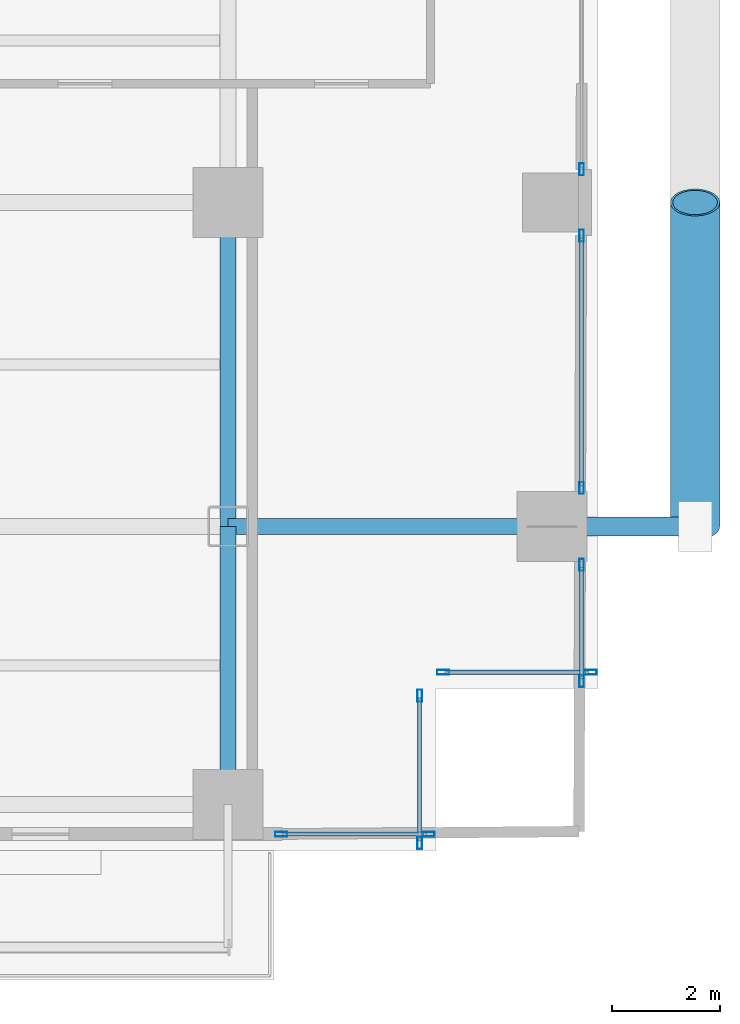
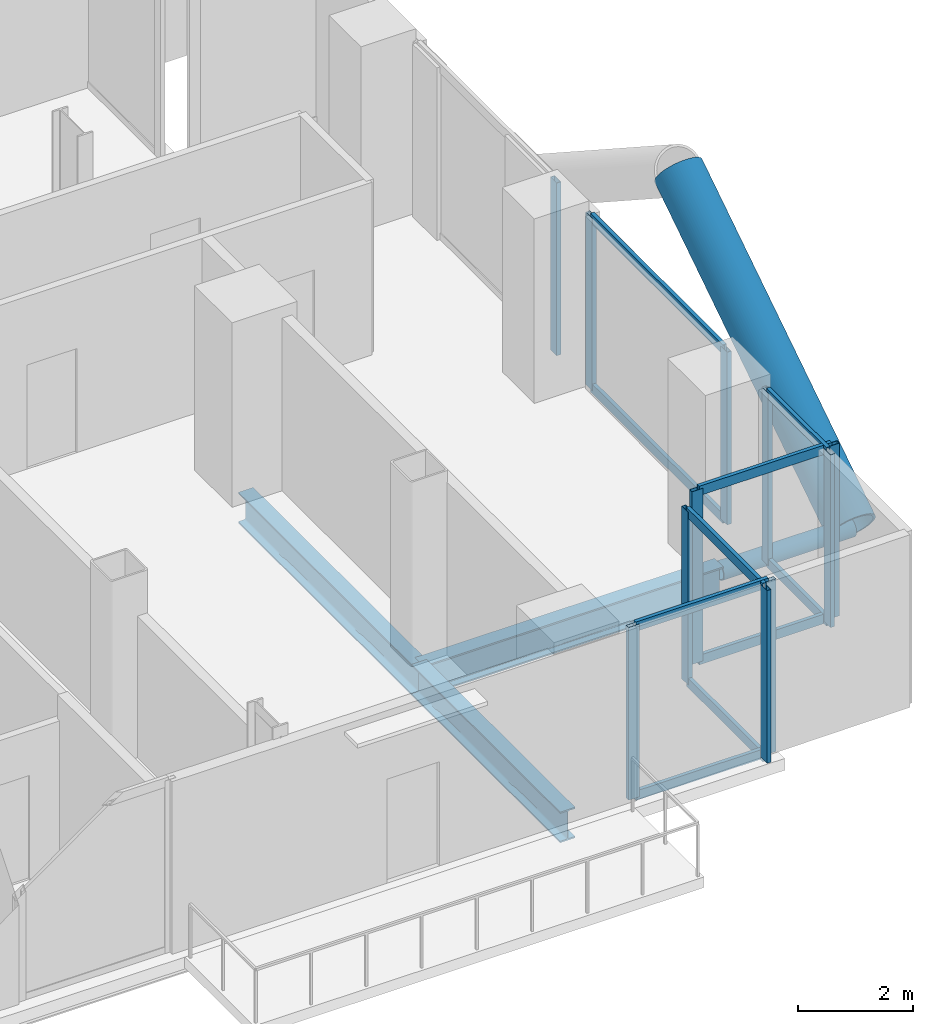
# One storey, part 10 of 27: 23 members, 3 beams, 6 elements without a shape of their own.
"""IFC4 building model written with IfcOpenShell, lengths in metres."""

from ifc_helpers import new_model, si_unit, direction, frame, origin, origin_2d, place, context, subcontext, project, spatial, hollow_rectangle, hollow_circle, i_section, extrude, material, layer, layer_set, material_profile, profile_set, type_object, element, aggregate, save


model = new_model("IFC4")

# Units and contexts
model_context = context("Model", 3, precision=1e-05, world=origin(), true_north=direction((0.0, 1.0)))
body_context = subcontext(model_context, "Body", "Model", "MODEL_VIEW")
ifc_project = project(units=[si_unit("LENGTHUNIT", "METRE"), si_unit("AREAUNIT", "SQUARE_METRE"), si_unit("VOLUMEUNIT", "CUBIC_METRE"), si_unit("PLANEANGLEUNIT", "RADIAN"), si_unit("MASSUNIT", "GRAM", prefix="KILO"), si_unit("THERMODYNAMICTEMPERATUREUNIT", "KELVIN"), si_unit("POWERUNIT", "WATT")], contexts=[model_context])

# Site, building, storey
site_placement = place(None, origin())
site = spatial("IfcSite", under=ifc_project, at=site_placement, CompositionType="ELEMENT")
building_placement = place(site_placement, origin())
building = spatial("IfcBuilding", under=site, at=building_placement, Name="Svarakhadi Broadcast Tower", CompositionType="ELEMENT")
storey_placement = place(building_placement, frame((0.0, 0.0, 71.39990234375)))
storey = spatial("IfcBuildingStorey", under=building, at=storey_placement, Name="L16", CompositionType="ELEMENT", Elevation=71.39990234375)

# Curtain wall, member
ifc_material_1 = material(Name="Anodised Bronze Aluminium AA 6063-T6", Category="aluminium")
ifc_layer = layer(ifc_material_1, 0.219970703125)
ifc_layer_set = layer_set([ifc_layer], Name="Anodised Bronze Aluminium AA 6063-T6")
curtain_wall_type = type_object("IfcCurtainWallType", Name="CW_Sys_02", PredefinedType="NOTDEFINED", material=ifc_layer_set)
curtain_wall_1_placement = place(storey_placement, origin())
curtain_wall_1 = element("IfcCurtainWall", 1, at=curtain_wall_1_placement, inside=storey, type_object=curtain_wall_type, Name="L16 Unitised Facade Curtain Wall 13 Bay 2", PredefinedType="NOTDEFINED")
ifc_material_profile_1 = material_profile(ifc_material_1, hollow_rectangle(XDim=0.0849609375, YDim=0.219970703125, WallThickness=0.006103515625, at=origin_2d()), Name="ALU MULLION 220x85x6")
ifc_profile_set_1 = profile_set([ifc_material_profile_1], Name="Anodised Bronze Aluminium AA 6063-T6")
member_type_1 = type_object("IfcMemberType", Name="CW_Sys_02_Mul", PredefinedType="MULLION", material=ifc_profile_set_1)
member_1_placement = place(storey_placement, frame((53.699951171875, 12.612548828125, 0.0), z_axis=(0.0, 0.0, 1.0), x_axis=(1.0, 0.0, 0.0)))
member_1 = element("IfcMember", 2, at=member_1_placement, type_object=member_type_1, Name="CW-02 mullion 2", PredefinedType="MULLION", context=body_context, shape_type="SweptSolid", body=[
    extrude(hollow_rectangle(XDim=0.0849609375, YDim=0.219970703125, WallThickness=0.006103515625, at=origin_2d()), origin(), (0.0, 0.0, 1.0), 3.650146484375),
])
aggregate(curtain_wall_1, [member_1])

# Curtain wall, members
curtain_wall_2_placement = place(storey_placement, origin())
curtain_wall_2 = element("IfcCurtainWall", 3, at=curtain_wall_2_placement, inside=storey, type_object=curtain_wall_type, Name="L16 Unitised Facade Curtain Wall 13 Bay 3", PredefinedType="NOTDEFINED")
member_2_placement = place(storey_placement, frame((53.699951171875, 11.387451171875, 0.0), z_axis=(0.0, 0.0, 1.0), x_axis=(1.0, 0.0, 0.0)))
member_2 = element("IfcMember", 4, at=member_2_placement, type_object=member_type_1, Name="CW-02 mullion 1", PredefinedType="MULLION", context=body_context, shape_type="SweptSolid", body=[
    extrude(hollow_rectangle(XDim=0.0849609375, YDim=0.219970703125, WallThickness=0.006103515625, at=origin_2d()), origin(), (0.0, 0.0, 1.0), 3.650146484375),
])
member_3_placement = place(storey_placement, frame((53.699951171875, 6.71240234375, 0.0), z_axis=(0.0, 0.0, 1.0), x_axis=(1.0, 0.0, 0.0)))
member_3 = element("IfcMember", 5, at=member_3_placement, type_object=member_type_1, Name="CW-02 mullion 2", PredefinedType="MULLION", context=body_context, shape_type="SweptSolid", body=[
    extrude(hollow_rectangle(XDim=0.0849609375, YDim=0.219970703125, WallThickness=0.006103515625, at=origin_2d()), origin(), (0.0, 0.0, 1.0), 3.650146484375),
])

curtain_wall_3_placement = place(storey_placement, origin())
curtain_wall_3 = element("IfcCurtainWall", 6, at=curtain_wall_3_placement, inside=storey, type_object=curtain_wall_type, Name="L16 Unitised Facade Curtain Wall 13 Bay 4", PredefinedType="NOTDEFINED")
member_4_placement = place(storey_placement, frame((53.699951171875, 5.28759765625, 0.0), z_axis=(0.0, 0.0, 1.0), x_axis=(1.0, 0.0, 0.0)))
member_4 = element("IfcMember", 7, at=member_4_placement, type_object=member_type_1, Name="CW-02 mullion 1", PredefinedType="MULLION", context=body_context, shape_type="SweptSolid", body=[
    extrude(hollow_rectangle(XDim=0.0849609375, YDim=0.219970703125, WallThickness=0.006103515625, at=origin_2d()), origin(), (0.0, 0.0, 1.0), 3.650146484375),
])
member_5_placement = place(storey_placement, frame((53.699951171875, 3.132568359375, 0.0), z_axis=(0.0, 0.0, 1.0), x_axis=(1.0, 0.0, 0.0)))
member_5 = element("IfcMember", 8, at=member_5_placement, type_object=member_type_1, Name="CW-02 mullion 2", PredefinedType="MULLION", context=body_context, shape_type="SweptSolid", body=[
    extrude(hollow_rectangle(XDim=0.0849609375, YDim=0.219970703125, WallThickness=0.006103515625, at=origin_2d()), origin(), (0.0, 0.0, 1.0), 3.650146484375),
])

curtain_wall_4_placement = place(storey_placement, origin())
curtain_wall_4 = element("IfcCurtainWall", 9, at=curtain_wall_4_placement, inside=storey, type_object=curtain_wall_type, Name="L16 Unitised Facade Curtain Wall 14", PredefinedType="NOTDEFINED")
member_6_placement = place(storey_placement, frame((53.867431640625, 3.300048828125, 0.0), z_axis=(0.0, 0.0, 1.0), x_axis=(0.0, -1.0, 0.0)))
member_6 = element("IfcMember", 10, at=member_6_placement, type_object=member_type_1, Name="CW-02 mullion 1", PredefinedType="MULLION", context=body_context, shape_type="SweptSolid", body=[
    extrude(hollow_rectangle(XDim=0.0849609375, YDim=0.219970703125, WallThickness=0.006103515625, at=origin_2d()), origin(), (0.0, 0.0, 1.0), 3.650146484375),
])
member_7_placement = place(storey_placement, frame((51.132568359375, 3.300048828125, 0.0), z_axis=(0.0, 0.0, 1.0), x_axis=(0.0, -1.0, 0.0)))
member_7 = element("IfcMember", 11, at=member_7_placement, type_object=member_type_1, Name="CW-02 mullion 2", PredefinedType="MULLION", context=body_context, shape_type="SweptSolid", body=[
    extrude(hollow_rectangle(XDim=0.0849609375, YDim=0.219970703125, WallThickness=0.006103515625, at=origin_2d()), origin(), (0.0, 0.0, 1.0), 3.650146484375),
])

curtain_wall_5_placement = place(storey_placement, origin())
curtain_wall_5 = element("IfcCurtainWall", 12, at=curtain_wall_5_placement, inside=storey, type_object=curtain_wall_type, Name="L16 Unitised Facade Curtain Wall 15", PredefinedType="NOTDEFINED")
member_8_placement = place(storey_placement, frame((50.699951171875, 2.867431640625, 0.0), z_axis=(0.0, 0.0, 1.0), x_axis=(1.0, 0.0, 0.0)))
member_8 = element("IfcMember", 13, at=member_8_placement, type_object=member_type_1, Name="CW-02 mullion 1", PredefinedType="MULLION", context=body_context, shape_type="SweptSolid", body=[
    extrude(hollow_rectangle(XDim=0.0849609375, YDim=0.219970703125, WallThickness=0.006103515625, at=origin_2d()), origin(), (0.0, 0.0, 1.0), 3.650146484375),
])
member_9_placement = place(storey_placement, frame((50.699951171875, 0.132568359375, 0.0), z_axis=(0.0, 0.0, 1.0), x_axis=(1.0, 0.0, 0.0)))
member_9 = element("IfcMember", 14, at=member_9_placement, type_object=member_type_1, Name="CW-02 mullion 2", PredefinedType="MULLION", context=body_context, shape_type="SweptSolid", body=[
    extrude(hollow_rectangle(XDim=0.0849609375, YDim=0.219970703125, WallThickness=0.006103515625, at=origin_2d()), origin(), (0.0, 0.0, 1.0), 3.650146484375),
])

curtain_wall_6_placement = place(storey_placement, origin())
curtain_wall_6 = element("IfcCurtainWall", 15, at=curtain_wall_6_placement, inside=storey, type_object=curtain_wall_type, Name="L16 South Curtain Wall 16", PredefinedType="NOTDEFINED")
member_10_placement = place(storey_placement, frame((50.867431640625, 0.300048828125, 0.0), z_axis=(0.0, 0.0, 1.0), x_axis=(0.0, -1.0, 0.0)))
member_10 = element("IfcMember", 16, at=member_10_placement, type_object=member_type_1, Name="CW-02 mullion 1", PredefinedType="MULLION", context=body_context, shape_type="SweptSolid", body=[
    extrude(hollow_rectangle(XDim=0.0849609375, YDim=0.219970703125, WallThickness=0.006103515625, at=origin_2d()), origin(), (0.0, 0.0, 1.0), 3.650146484375),
])
member_11_placement = place(storey_placement, frame((48.132568359375, 0.300048828125, 0.0), z_axis=(0.0, 0.0, 1.0), x_axis=(0.0, -1.0, 0.0)))
member_11 = element("IfcMember", 17, at=member_11_placement, type_object=member_type_1, Name="CW-02 mullion 2", PredefinedType="MULLION", context=body_context, shape_type="SweptSolid", body=[
    extrude(hollow_rectangle(XDim=0.0849609375, YDim=0.219970703125, WallThickness=0.006103515625, at=origin_2d()), origin(), (0.0, 0.0, 1.0), 3.650146484375),
])

# Member
ifc_material_profile_2 = material_profile(ifc_material_1, hollow_rectangle(XDim=0.074951171875, YDim=0.199951171875, WallThickness=0.0048828125, at=origin_2d()), Name="ALU TRANSOM 200x75x5")
ifc_profile_set_2 = profile_set([ifc_material_profile_2], Name="Anodised Bronze Aluminium AA 6063-T6")
member_type_2 = type_object("IfcMemberType", Name="CW_Sys_02_Trn", PredefinedType="USERDEFINED", material=ifc_profile_set_2)
member_12_placement = place(storey_placement, frame((53.699951171875, 11.344970703125, 0.03759765625), z_axis=(0.0, -1.0, 0.0), x_axis=(1.0, 0.0, 0.0)))
member_12 = element("IfcMember", 18, at=member_12_placement, type_object=member_type_2, Name="CW-02 transom 1.1", ObjectType="TRANSOM", PredefinedType="USERDEFINED", context=body_context, shape_type="SweptSolid", body=[
    extrude(hollow_rectangle(XDim=0.074951171875, YDim=0.199951171875, WallThickness=0.0048828125, at=origin_2d()), origin(), (0.0, 0.0, 1.0), 4.590087890625),
])

member_13_placement = place(storey_placement, frame((53.699951171875, 11.344970703125, 3.612548828125), z_axis=(0.0, -1.0, 0.0), x_axis=(1.0, 0.0, 0.0)))
member_13 = element("IfcMember", 19, at=member_13_placement, type_object=member_type_2, Name="CW-02 transom 1.2", ObjectType="TRANSOM", PredefinedType="USERDEFINED", context=body_context, shape_type="SweptSolid", body=[
    extrude(hollow_rectangle(XDim=0.074951171875, YDim=0.199951171875, WallThickness=0.0048828125, at=origin_2d()), origin(), (0.0, 0.0, 1.0), 4.590087890625),
])

aggregate(curtain_wall_2, [member_2, member_3, member_12, member_13])

member_14_placement = place(storey_placement, frame((53.699951171875, 5.2451171875, 0.03759765625), z_axis=(0.0, -1.0, 0.0), x_axis=(1.0, 0.0, 0.0)))
member_14 = element("IfcMember", 20, at=member_14_placement, type_object=member_type_2, Name="CW-02 transom 1.1", ObjectType="TRANSOM", PredefinedType="USERDEFINED", context=body_context, shape_type="SweptSolid", body=[
    extrude(hollow_rectangle(XDim=0.074951171875, YDim=0.199951171875, WallThickness=0.0048828125, at=origin_2d()), origin(), (0.0, 0.0, 1.0), 2.070068359375),
])

member_15_placement = place(storey_placement, frame((53.699951171875, 5.2451171875, 3.612548828125), z_axis=(0.0, -1.0, 0.0), x_axis=(1.0, 0.0, 0.0)))
member_15 = element("IfcMember", 21, at=member_15_placement, type_object=member_type_2, Name="CW-02 transom 1.2", ObjectType="TRANSOM", PredefinedType="USERDEFINED", context=body_context, shape_type="SweptSolid", body=[
    extrude(hollow_rectangle(XDim=0.074951171875, YDim=0.199951171875, WallThickness=0.0048828125, at=origin_2d()), origin(), (0.0, 0.0, 1.0), 2.070068359375),
])

aggregate(curtain_wall_3, [member_4, member_5, member_14, member_15])

member_16_placement = place(storey_placement, frame((53.824951171875, 3.300048828125, 0.03759765625), z_axis=(-1.0, 0.0, 0.0), x_axis=(0.0, -1.0, 0.0)))
member_16 = element("IfcMember", 22, at=member_16_placement, type_object=member_type_2, Name="CW-02 transom 1.1", ObjectType="TRANSOM", PredefinedType="USERDEFINED", context=body_context, shape_type="SweptSolid", body=[
    extrude(hollow_rectangle(XDim=0.074951171875, YDim=0.199951171875, WallThickness=0.0048828125, at=origin_2d()), origin(), (0.0, 0.0, 1.0), 2.64990234375),
])

member_17_placement = place(storey_placement, frame((53.824951171875, 3.300048828125, 3.612548828125), z_axis=(-1.0, 0.0, 0.0), x_axis=(0.0, -1.0, 0.0)))
member_17 = element("IfcMember", 23, at=member_17_placement, type_object=member_type_2, Name="CW-02 transom 1.2", ObjectType="TRANSOM", PredefinedType="USERDEFINED", context=body_context, shape_type="SweptSolid", body=[
    extrude(hollow_rectangle(XDim=0.074951171875, YDim=0.199951171875, WallThickness=0.0048828125, at=origin_2d()), origin(), (0.0, 0.0, 1.0), 2.64990234375),
])

aggregate(curtain_wall_4, [member_6, member_7, member_16, member_17])

member_18_placement = place(storey_placement, frame((50.699951171875, 2.824951171875, 0.03759765625), z_axis=(0.0, -1.0, 0.0), x_axis=(1.0, 0.0, 0.0)))
member_18 = element("IfcMember", 24, at=member_18_placement, type_object=member_type_2, Name="CW-02 transom 1.1", ObjectType="TRANSOM", PredefinedType="USERDEFINED", context=body_context, shape_type="SweptSolid", body=[
    extrude(hollow_rectangle(XDim=0.074951171875, YDim=0.199951171875, WallThickness=0.0048828125, at=origin_2d()), origin(), (0.0, 0.0, 1.0), 2.64990234375),
])

member_19_placement = place(storey_placement, frame((50.699951171875, 2.824951171875, 3.612548828125), z_axis=(0.0, -1.0, 0.0), x_axis=(1.0, 0.0, 0.0)))
member_19 = element("IfcMember", 25, at=member_19_placement, type_object=member_type_2, Name="CW-02 transom 1.2", ObjectType="TRANSOM", PredefinedType="USERDEFINED", context=body_context, shape_type="SweptSolid", body=[
    extrude(hollow_rectangle(XDim=0.074951171875, YDim=0.199951171875, WallThickness=0.0048828125, at=origin_2d()), origin(), (0.0, 0.0, 1.0), 2.64990234375),
])

aggregate(curtain_wall_5, [member_8, member_9, member_18, member_19])

member_20_placement = place(storey_placement, frame((50.824951171875, 0.300048828125, 0.03759765625), z_axis=(-1.0, 0.0, 0.0), x_axis=(0.0, -1.0, 0.0)))
member_20 = element("IfcMember", 26, at=member_20_placement, type_object=member_type_2, Name="CW-02 transom 1.1", ObjectType="TRANSOM", PredefinedType="USERDEFINED", context=body_context, shape_type="SweptSolid", body=[
    extrude(hollow_rectangle(XDim=0.074951171875, YDim=0.199951171875, WallThickness=0.0048828125, at=origin_2d()), origin(), (0.0, 0.0, 1.0), 2.64990234375),
])

member_21_placement = place(storey_placement, frame((50.824951171875, 0.300048828125, 3.612548828125), z_axis=(-1.0, 0.0, 0.0), x_axis=(0.0, -1.0, 0.0)))
member_21 = element("IfcMember", 27, at=member_21_placement, type_object=member_type_2, Name="CW-02 transom 1.2", ObjectType="TRANSOM", PredefinedType="USERDEFINED", context=body_context, shape_type="SweptSolid", body=[
    extrude(hollow_rectangle(XDim=0.074951171875, YDim=0.199951171875, WallThickness=0.0048828125, at=origin_2d()), origin(), (0.0, 0.0, 1.0), 2.64990234375),
])

aggregate(curtain_wall_6, [member_10, member_11, member_20, member_21])

# Members
ifc_material_2 = material(Name="Steel S460ML (IS 2062 E450BR)", Category="steel")
ifc_material_profile_3 = material_profile(ifc_material_2, hollow_circle(Radius=0.45703125, WallThickness=0.044921875, at=origin_2d()), Name="CHS 914x45")
ifc_profile_set_3 = profile_set([ifc_material_profile_3], Name="Steel S460ML (IS 2062 E450BR)")
member_type_3 = type_object("IfcMemberType", Name="Exo_Brace_CHS914", PredefinedType="BRACE", material=ifc_profile_set_3)
member_22_placement = place(storey_placement, frame((55.800048828125, 6.0, -0.427734375), z_axis=(0.0, 0.838434262763, 0.545002740383), x_axis=(-1.0, 0.0, 0.0)))
element("IfcMember", 28, at=member_22_placement, inside=storey, type_object=member_type_3, Name="L16 Exposed Bronze Exoskeleton Diagonal E10", PredefinedType="BRACE", context=body_context, shape_type="SweptSolid", body=[
    extrude(hollow_circle(Radius=0.45703125, WallThickness=0.044921875, at=origin_2d()), origin(), (0.0, 0.0, 1.0), 7.15625),
])
ifc_material_profile_4 = material_profile(ifc_material_2, hollow_circle(Radius=0.177734375, WallThickness=0.02001953125, at=origin_2d()), Name="CHS 355.6x20")
ifc_profile_set_4 = profile_set([ifc_material_profile_4], Name="Steel S460ML (IS 2062 E450BR)")
member_type_4 = type_object("IfcMemberType", Name="Exo_Radial_Strut_Z1", PredefinedType="STRUT", material=ifc_profile_set_4)
member_23_placement = place(storey_placement, frame((55.800048828125, 6.0, -0.427734375), z_axis=(-1.0, 0.0, 0.0), x_axis=(0.0, -1.0, 0.0)))
element("IfcMember", 29, at=member_23_placement, inside=storey, type_object=member_type_4, Name="L16 Exoskeleton Radial Tie Strut E09", PredefinedType="STRUT", context=body_context, shape_type="SweptSolid", body=[
    extrude(hollow_circle(Radius=0.177734375, WallThickness=0.02001953125, at=origin_2d()), origin(), (0.0, 0.0, 1.0), 2.650146484375),
])

# Beams
ifc_material_3 = material(Name="Steel S355J2 (IS 2062 E350C)", Category="steel")
ifc_material_profile_5 = material_profile(ifc_material_3, i_section(OverallWidth=0.300048828125, OverallDepth=0.64990234375, WebThickness=0.01611328125, FlangeThickness=0.031005859375, FilletRadius=0.027099609375, at=origin_2d()), Name="WPB 650x300x225")
ifc_profile_set_5 = profile_set([ifc_material_profile_5], Name="Steel S355J2 (IS 2062 E350C)")
beam_type = type_object("IfcBeamType", Name="Girder_WPB650", PredefinedType="USERDEFINED", material=ifc_profile_set_5)
beam_1_placement = place(storey_placement, frame((47.14990234375, 6.0, -0.574951171875), z_axis=(1.0, 0.0, 0.0), x_axis=(0.0, 1.0, 0.0)))
element("IfcBeam", 30, at=beam_1_placement, inside=storey, type_object=beam_type, Name="L16 Primary E-W Girder G018", ObjectType="GIRDER", PredefinedType="USERDEFINED", context=body_context, shape_type="SweptSolid", body=[
    extrude(i_section(OverallWidth=0.300048828125, OverallDepth=0.64990234375, WebThickness=0.01611328125, FlangeThickness=0.031005859375, FilletRadius=0.027099609375, at=origin_2d()), origin(), (0.0, 0.0, 1.0), 6.0),
])
beam_2_placement = place(storey_placement, frame((47.14990234375, 0.85009765625, -0.574951171875), z_axis=(0.0, 1.0, 0.0), x_axis=(-1.0, 0.0, 0.0)))
element("IfcBeam", 31, at=beam_2_placement, inside=storey, type_object=beam_type, Name="L16 Primary N-S Girder G082", ObjectType="GIRDER", PredefinedType="USERDEFINED", context=body_context, shape_type="SweptSolid", body=[
    extrude(i_section(OverallWidth=0.300048828125, OverallDepth=0.64990234375, WebThickness=0.01611328125, FlangeThickness=0.031005859375, FilletRadius=0.027099609375, at=origin_2d()), origin(), (0.0, 0.0, 1.0), 5.14990234375),
])
beam_3_placement = place(storey_placement, frame((47.14990234375, 6.0, -0.574951171875), z_axis=(0.0, 1.0, 0.0), x_axis=(-1.0, 0.0, 0.0)))
element("IfcBeam", 32, at=beam_3_placement, inside=storey, type_object=beam_type, Name="L16 Primary N-S Girder G083", ObjectType="GIRDER", PredefinedType="USERDEFINED", context=body_context, shape_type="SweptSolid", body=[
    extrude(i_section(OverallWidth=0.300048828125, OverallDepth=0.64990234375, WebThickness=0.01611328125, FlangeThickness=0.031005859375, FilletRadius=0.027099609375, at=origin_2d()), origin(), (0.0, 0.0, 1.0), 6.0),
])

save(model, "model.ifc")
